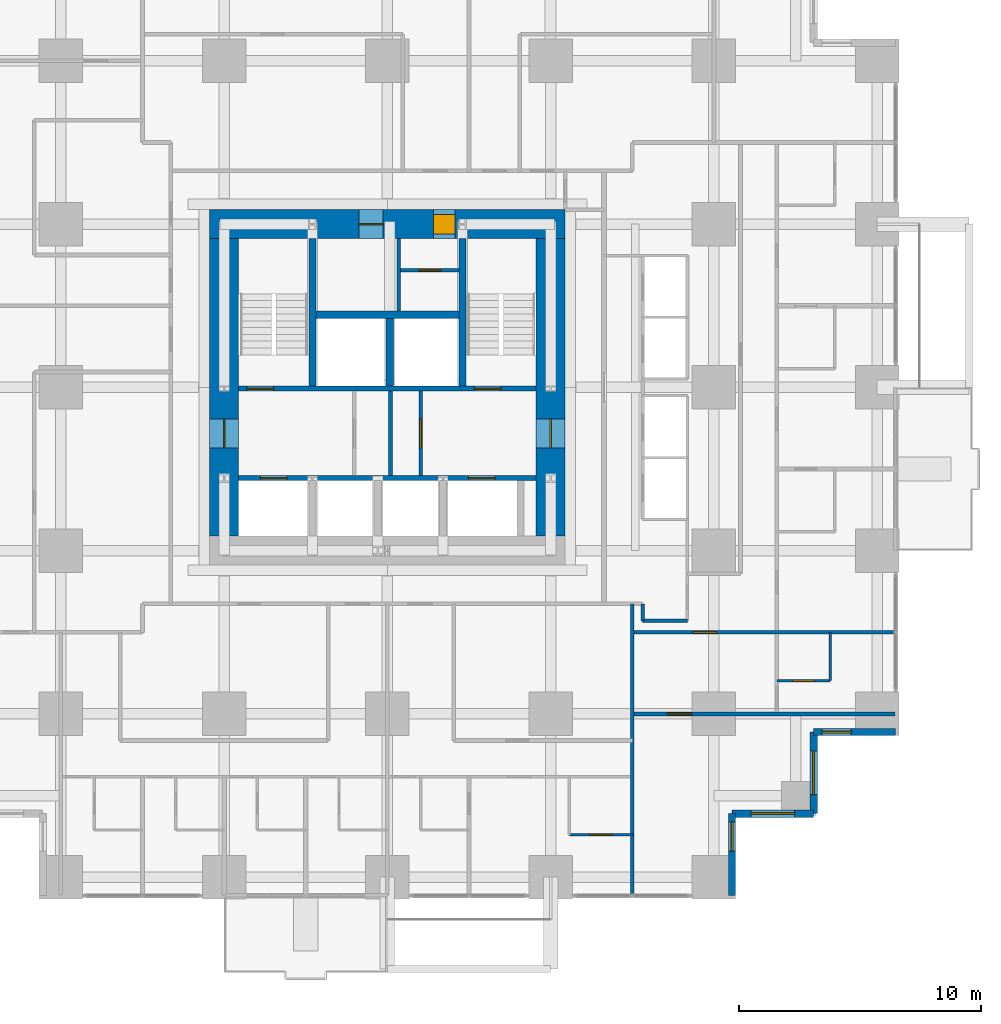
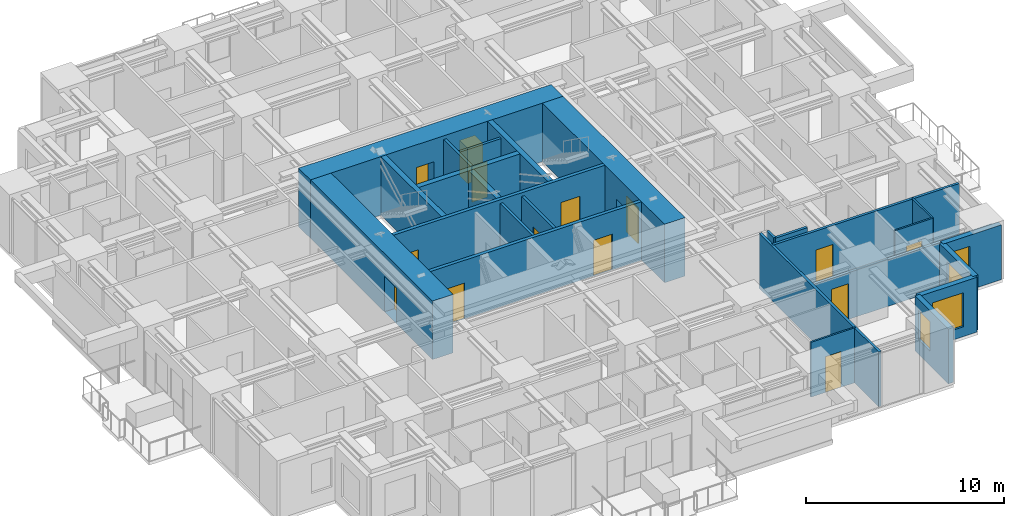
# One storey, part 10 of 14: 25 walls, 14 doors, 4 windows, 18 openings.
"""IFC4 building model written with IfcOpenShell, lengths in metres."""

from ifc_helpers import new_model, si_unit, direction, frame, frame_2d, origin, place, context, subcontext, project, spatial, rectangle, extrude, material, layer, layer_set, type_object, element, fill, save


model = new_model("IFC4")

# Units and contexts
model_context = context("Model", 3, precision=1e-05, world=origin(), true_north=direction((0.0, 1.0)))
body_context = subcontext(model_context, "Body", "Model", "MODEL_VIEW")
ifc_project = project(units=[si_unit("LENGTHUNIT", "METRE"), si_unit("AREAUNIT", "SQUARE_METRE"), si_unit("VOLUMEUNIT", "CUBIC_METRE"), si_unit("PLANEANGLEUNIT", "RADIAN"), si_unit("MASSUNIT", "GRAM", prefix="KILO")], contexts=[model_context])

# Site, building, storey
site_placement = place(None, origin())
site = spatial("IfcSite", under=ifc_project, at=site_placement, CompositionType="ELEMENT")
building_placement = place(site_placement, origin())
building = spatial("IfcBuilding", under=site, at=building_placement, Name="Nyansa Garden Tower", CompositionType="ELEMENT")
storey_placement = place(building_placement, frame((0.0, 0.0, 68.39990234375)))
storey = spatial("IfcBuildingStorey", under=building, at=storey_placement, Name="L18", CompositionType="ELEMENT", Elevation=68.39990234375)

# Wall, openings, doors
ifc_material_1 = material(Name="Concrete C70/85", Category="concrete")
ifc_layer_1 = layer(ifc_material_1, 0.199951171875)
ifc_layer_set_1 = layer_set([ifc_layer_1], Name="Core inner wall CI200")
wall_type_1 = type_object("IfcWallType", Name="Core inner wall CI200", PredefinedType="SHEAR", material=ifc_layer_set_1)
wall_1_placement = place(storey_placement, frame((14.10009765625, 16.5, 0.0), z_axis=(0.0, 0.0, 1.0), x_axis=(1.0, 0.0, 0.0)))
wall_1 = element("IfcWall", 1, at=wall_1_placement, inside=storey, type_object=wall_type_1, Name="Core inner wall L18", PredefinedType="SHEAR", context=body_context, shape_type="SweptSolid", body=[
    extrude(rectangle(XDim=12.2998046875, YDim=0.199951171875, at=frame_2d((6.14990234375, 0.0))), origin(), (0.0, 0.0, 1.0), 3.60009765625),
])
opening_1_placement = place(wall_1_placement, frame((0.89990234375, 0.0, 0.0)))
opening_1 = element("IfcOpeningElement", 2, at=opening_1_placement, cuts=wall_1, Name="Opening LD-F", PredefinedType="OPENING", context=body_context, shape_type="SweptSolid", body=[
    extrude(rectangle(XDim=1.10009765625, YDim=2.199951171875, at=frame_2d((0.550048828125, 1.10009765625))), frame((0.0, 0.10986328125, 0.0), z_axis=(0.0, -1.0, 0.0), x_axis=(1.0, 0.0, 0.0)), (0.0, 0.0, 1.0), 0.219970703125),
])
opening_2_placement = place(wall_1_placement, frame((9.5, 0.0, 0.0)))
opening_2 = element("IfcOpeningElement", 3, at=opening_2_placement, cuts=wall_1, Name="Opening LD-F", PredefinedType="OPENING", context=body_context, shape_type="SweptSolid", body=[
    extrude(rectangle(XDim=1.10009765625, YDim=2.199951171875, at=frame_2d((0.550048828125, 1.10009765625))), frame((0.0, 0.10986328125, 0.0), z_axis=(0.0, -1.0, 0.0), x_axis=(1.0, 0.0, 0.0)), (0.0, 0.0, 1.0), 0.219970703125),
])
ifc_material_2 = material(Name="Stainless steel centre-opening landing door of the firefighting lift, EN 81-72, E 120", Category="steel")
door_type_1 = type_object("IfcDoorType", Name="Lift landing door LD-F 1100x2200", OperationType="DOUBLE_DOOR_SLIDING", PredefinedType="DOOR", material=ifc_material_2)
door_1_placement = place(opening_1_placement, origin())
door_1 = element("IfcDoor", 4, at=door_1_placement, inside=storey, type_object=door_type_1, Name="Landing door FF1", OperationType="DOUBLE_DOOR_SLIDING", OverallHeight=2.199951171875, OverallWidth=1.10009765625, PredefinedType="DOOR", context=body_context, shape_type="SweptSolid", body=[
    extrude(rectangle(XDim=1.10009765625, YDim=2.199951171875, at=frame_2d((0.550048828125, 1.10009765625))), frame((0.0, 0.02490234375, 0.0), z_axis=(0.0, -1.0, 0.0), x_axis=(1.0, 0.0, 0.0)), (0.0, 0.0, 1.0), 0.050048828125),
])
fill(opening_1, door_1)
door_2_placement = place(opening_2_placement, origin())
door_2 = element("IfcDoor", 5, at=door_2_placement, inside=storey, type_object=door_type_1, Name="Landing door FF2", OperationType="DOUBLE_DOOR_SLIDING", OverallHeight=2.199951171875, OverallWidth=1.10009765625, PredefinedType="DOOR", context=body_context, shape_type="SweptSolid", body=[
    extrude(rectangle(XDim=1.10009765625, YDim=2.199951171875, at=frame_2d((0.550048828125, 1.10009765625))), frame((0.0, 0.02490234375, 0.0), z_axis=(0.0, -1.0, 0.0), x_axis=(1.0, 0.0, 0.0)), (0.0, 0.0, 1.0), 0.050048828125),
])
fill(opening_2, door_2)

wall_2_placement = place(storey_placement, frame((14.10009765625, 20.199951171875, 0.0), z_axis=(0.0, 0.0, 1.0), x_axis=(1.0, 0.0, 0.0)))
wall_2 = element("IfcWall", 6, at=wall_2_placement, inside=storey, type_object=wall_type_1, Name="Core inner wall L18", PredefinedType="SHEAR", context=body_context, shape_type="SweptSolid", body=[
    extrude(rectangle(XDim=12.2998046875, YDim=0.199951171875, at=frame_2d((6.14990234375, 0.0))), origin(), (0.0, 0.0, 1.0), 3.60009765625),
])
opening_3_placement = place(wall_2_placement, frame((0.35009765625, 0.0, 0.0)))
opening_3 = element("IfcOpeningElement", 7, at=opening_3_placement, cuts=wall_2, Name="Opening D05", PredefinedType="OPENING", context=body_context, shape_type="SweptSolid", body=[
    extrude(rectangle(XDim=1.10009765625, YDim=2.199951171875, at=frame_2d((0.550048828125, 1.10009765625))), frame((0.0, 0.10986328125, 0.0), z_axis=(0.0, -1.0, 0.0), x_axis=(1.0, 0.0, 0.0)), (0.0, 0.0, 1.0), 0.219970703125),
])
opening_4_placement = place(wall_2_placement, frame((9.75, 0.0, 0.0)))
opening_4 = element("IfcOpeningElement", 8, at=opening_4_placement, cuts=wall_2, Name="Opening D05", PredefinedType="OPENING", context=body_context, shape_type="SweptSolid", body=[
    extrude(rectangle(XDim=1.10009765625, YDim=2.199951171875, at=frame_2d((0.550048828125, 1.10009765625))), frame((0.0, 0.10986328125, 0.0), z_axis=(0.0, -1.0, 0.0), x_axis=(1.0, 0.0, 0.0)), (0.0, 0.0, 1.0), 0.219970703125),
])
ifc_material_3 = material(Name="Steel door, 120 minute fire resisting", Category="steel")
door_type_2 = type_object("IfcDoorType", Name="Stair door D05 1100x2200", OperationType="SINGLE_SWING_LEFT", PredefinedType="DOOR", material=ifc_material_3)
door_3_placement = place(opening_3_placement, origin())
door_3 = element("IfcDoor", 9, at=door_3_placement, inside=storey, type_object=door_type_2, Name="Stair S1 door", OperationType="SINGLE_SWING_LEFT", OverallHeight=2.199951171875, OverallWidth=1.10009765625, PredefinedType="DOOR", context=body_context, shape_type="SweptSolid", body=[
    extrude(rectangle(XDim=1.10009765625, YDim=2.199951171875, at=frame_2d((0.550048828125, 1.10009765625))), frame((0.0, 0.02490234375, 0.0), z_axis=(0.0, -1.0, 0.0), x_axis=(1.0, 0.0, 0.0)), (0.0, 0.0, 1.0), 0.050048828125),
])
fill(opening_3, door_3)
door_4_placement = place(opening_4_placement, origin())
door_4 = element("IfcDoor", 10, at=door_4_placement, inside=storey, type_object=door_type_2, Name="Stair S2 door", OperationType="SINGLE_SWING_LEFT", OverallHeight=2.199951171875, OverallWidth=1.10009765625, PredefinedType="DOOR", context=body_context, shape_type="SweptSolid", body=[
    extrude(rectangle(XDim=1.10009765625, YDim=2.199951171875, at=frame_2d((0.550048828125, 1.10009765625))), frame((0.0, 0.02490234375, 0.0), z_axis=(0.0, -1.0, 0.0), x_axis=(1.0, 0.0, 0.0)), (0.0, 0.0, 1.0), 0.050048828125),
])
fill(opening_4, door_4)

# Walls
ifc_material_4 = material(Name="Concrete C70/85", Category="concrete")
ifc_layer_2 = layer(ifc_material_4, 0.300048828125)
ifc_layer_set_2 = layer_set([ifc_layer_2], Name="Core inner wall CI300")
wall_type_2 = type_object("IfcWallType", Name="Core inner wall CI300", PredefinedType="SHEAR", material=ifc_layer_set_2)
for number, where, z_axis, x_axis, name in (
    (11, (17.14990234375, 20.300048828125, 0.0), (0.0, 0.0, 1.0), (0.0, 1.0, 0.0), "Core inner wall L18"),
    (12, (23.35009765625, 20.300048828125, 0.0), (0.0, 0.0, 1.0), (0.0, 1.0, 0.0), "Core inner wall L18"),
):
    element("IfcWall", number, at=place(storey_placement, frame(where, z_axis=z_axis, x_axis=x_axis)), inside=storey, type_object=wall_type_2, Name=name, PredefinedType="SHEAR", context=body_context, shape_type="SweptSolid", body=[
        extrude(rectangle(XDim=6.099853515625, YDim=0.300048828125, at=frame_2d((3.0498046875, 0.0))), origin(), (0.0, 0.0, 1.0), 3.60009765625),
    ])
wall_3_placement = place(storey_placement, frame((20.35009765625, 20.300048828125, 0.0), z_axis=(0.0, 0.0, 1.0), x_axis=(0.0, 1.0, 0.0)))
element("IfcWall", 13, at=wall_3_placement, inside=storey, type_object=wall_type_2, Name="Core inner wall L18", PredefinedType="SHEAR", context=body_context, shape_type="SweptSolid", body=[
    extrude(rectangle(XDim=2.800048828125, YDim=0.300048828125, at=frame_2d((1.39990234375, 0.0))), origin(), (0.0, 0.0, 1.0), 3.60009765625),
])
wall_4_placement = place(storey_placement, frame((17.300048828125, 23.25, 0.0), z_axis=(0.0, 0.0, 1.0), x_axis=(1.0, 0.0, 0.0)))
element("IfcWall", 14, at=wall_4_placement, inside=storey, type_object=wall_type_2, Name="Core inner wall L18", PredefinedType="SHEAR", context=body_context, shape_type="SweptSolid", body=[
    extrude(rectangle(XDim=5.89990234375, YDim=0.300048828125, at=frame_2d((2.949951171875, 0.0))), origin(), (0.0, 0.0, 1.0), 3.60009765625),
])

# Wall, opening, door
ifc_material_5 = material(Name="Concrete C80/95", Category="concrete")
ifc_layer_3 = layer(ifc_material_5, 1.199951171875)
ifc_layer_set_3 = layer_set([ifc_layer_3], Name="Core wall CW1200")
wall_type_3 = type_object("IfcWallType", Name="Core wall CW1200", PredefinedType="SHEAR", material=ifc_layer_set_3)
wall_5_placement = place(storey_placement, frame((27.0, 14.10009765625, 0.0), z_axis=(0.0, 0.0, 1.0), x_axis=(0.0, 1.0, 0.0)))
wall_5 = element("IfcWall", 15, at=wall_5_placement, inside=storey, type_object=wall_type_3, Name="Core wall E L18", PredefinedType="SHEAR", context=body_context, shape_type="SweptSolid", body=[
    extrude(rectangle(XDim=12.2998046875, YDim=1.199951171875, at=frame_2d((6.14990234375, 0.0))), origin(), (0.0, 0.0, 1.0), 3.60009765625),
])
opening_5_placement = place(wall_5_placement, frame((3.64990234375, 0.0, 0.0)))
opening_5 = element("IfcOpeningElement", 16, at=opening_5_placement, cuts=wall_5, Name="Opening D06", PredefinedType="OPENING", context=body_context, shape_type="SweptSolid", body=[
    extrude(rectangle(XDim=1.199951171875, YDim=2.199951171875, at=frame_2d((0.60009765625, 1.10009765625))), frame((0.0, 0.60986328125, 0.0), z_axis=(0.0, -1.0, 0.0), x_axis=(1.0, 0.0, 0.0)), (0.0, 0.0, 1.0), 1.219970703125),
])
ifc_material_6 = material(Name="Steel door, 120 minute fire resisting", Category="steel")
door_type_3 = type_object("IfcDoorType", Name="Lobby door D06 1200x2200", OperationType="DOUBLE_DOOR_SINGLE_SWING", PredefinedType="DOOR", material=ifc_material_6)
door_5_placement = place(opening_5_placement, origin())
door_5 = element("IfcDoor", 17, at=door_5_placement, inside=storey, type_object=door_type_3, Name="Lift lobby door east", OperationType="DOUBLE_DOOR_SINGLE_SWING", OverallHeight=2.199951171875, OverallWidth=1.199951171875, PredefinedType="DOOR", context=body_context, shape_type="SweptSolid", body=[
    extrude(rectangle(XDim=1.199951171875, YDim=2.199951171875, at=frame_2d((0.60009765625, 1.10009765625))), frame((0.0, 0.02490234375, 0.0), z_axis=(0.0, -1.0, 0.0), x_axis=(1.0, 0.0, 0.0)), (0.0, 0.0, 1.0), 0.050048828125),
])
fill(opening_5, door_5)

# Wall, openings, doors
wall_6_placement = place(storey_placement, frame((27.60009765625, 27.0, 0.0), z_axis=(0.0, 0.0, 1.0), x_axis=(-1.0, 0.0, 0.0)))
wall_6 = element("IfcWall", 18, at=wall_6_placement, inside=storey, type_object=wall_type_3, Name="Core wall N L18", PredefinedType="SHEAR", context=body_context, shape_type="SweptSolid", body=[
    extrude(rectangle(XDim=14.7001953125, YDim=1.199951171875, at=frame_2d((7.35009765625, 0.0))), origin(), (0.0, 0.0, 1.0), 3.60009765625),
])
opening_6_placement = place(wall_6_placement, frame((4.550048828125, 0.0, 0.0)))
opening_6 = element("IfcOpeningElement", 19, at=opening_6_placement, cuts=wall_6, Name="Opening D15", PredefinedType="OPENING", context=body_context, shape_type="SweptSolid", body=[
    extrude(rectangle(XDim=0.89990234375, YDim=2.199951171875, at=frame_2d((0.449951171875, 1.10009765625))), frame((0.0, 0.60986328125, 0.0), z_axis=(0.0, -1.0, 0.0), x_axis=(1.0, 0.0, 0.0)), (0.0, 0.0, 1.0), 1.219970703125),
])
opening_7_placement = place(wall_6_placement, frame((7.52490234375, 0.0, 0.0)))
opening_7 = element("IfcOpeningElement", 20, at=opening_7_placement, cuts=wall_6, Name="Opening D07", PredefinedType="OPENING", context=body_context, shape_type="SweptSolid", body=[
    extrude(rectangle(XDim=1.0, YDim=2.199951171875, at=frame_2d((0.5, 1.10009765625))), frame((0.0, 0.60986328125, 0.0), z_axis=(0.0, -1.0, 0.0), x_axis=(1.0, 0.0, 0.0)), (0.0, 0.0, 1.0), 1.219970703125),
])
ifc_material_7 = material(Name="Timber flush door, 60 minute fire resisting, self-closing", Category="wood")
door_type_4 = type_object("IfcDoorType", Name="Core room door D15 900x2200", OperationType="SINGLE_SWING_LEFT", PredefinedType="DOOR", material=ifc_material_7)
door_6_placement = place(opening_6_placement, origin())
door_6 = element("IfcDoor", 21, at=door_6_placement, inside=storey, type_object=door_type_4, Name="Core room door", OperationType="SINGLE_SWING_LEFT", OverallHeight=2.199951171875, OverallWidth=0.89990234375, PredefinedType="DOOR", context=body_context, shape_type="SweptSolid", body=[
    extrude(rectangle(XDim=0.89990234375, YDim=2.199951171875, at=frame_2d((0.449951171875, 1.10009765625))), frame((0.0, 0.39990234375, 0.0), z_axis=(0.0, -1.0, 0.0), x_axis=(1.0, 0.0, 0.0)), (0.0, 0.0, 1.0), 0.800048828125),
])
fill(opening_6, door_6)
ifc_material_8 = material(Name="Steel door, 120 minute fire resisting", Category="steel")
door_type_5 = type_object("IfcDoorType", Name="Riser door D07 1000x2200", OperationType="SINGLE_SWING_LEFT", PredefinedType="DOOR", material=ifc_material_8)
door_7_placement = place(opening_7_placement, origin())
door_7 = element("IfcDoor", 22, at=door_7_placement, inside=storey, type_object=door_type_5, Name="Riser and refuse room door", OperationType="SINGLE_SWING_LEFT", OverallHeight=2.199951171875, OverallWidth=1.0, PredefinedType="DOOR", context=body_context, shape_type="SweptSolid", body=[
    extrude(rectangle(XDim=1.0, YDim=2.199951171875, at=frame_2d((0.5, 1.10009765625))), frame((0.0, 0.02490234375, 0.0), z_axis=(0.0, -1.0, 0.0), x_axis=(1.0, 0.0, 0.0)), (0.0, 0.0, 1.0), 0.050048828125),
])
fill(opening_7, door_7)

# Wall, opening, door
wall_7_placement = place(storey_placement, frame((13.5, 26.39990234375, 0.0), z_axis=(0.0, 0.0, 1.0), x_axis=(0.0, -1.0, 0.0)))
wall_7 = element("IfcWall", 23, at=wall_7_placement, inside=storey, type_object=wall_type_3, Name="Core wall W L18", PredefinedType="SHEAR", context=body_context, shape_type="SweptSolid", body=[
    extrude(rectangle(XDim=12.2998046875, YDim=1.199951171875, at=frame_2d((6.14990234375, 0.0))), origin(), (0.0, 0.0, 1.0), 3.60009765625),
])
opening_8_placement = place(wall_7_placement, frame((7.449951171875, 0.0, 0.0)))
opening_8 = element("IfcOpeningElement", 24, at=opening_8_placement, cuts=wall_7, Name="Opening D06", PredefinedType="OPENING", context=body_context, shape_type="SweptSolid", body=[
    extrude(rectangle(XDim=1.199951171875, YDim=2.199951171875, at=frame_2d((0.60009765625, 1.10009765625))), frame((0.0, 0.60986328125, 0.0), z_axis=(0.0, -1.0, 0.0), x_axis=(1.0, 0.0, 0.0)), (0.0, 0.0, 1.0), 1.219970703125),
])
door_8_placement = place(opening_8_placement, origin())
door_8 = element("IfcDoor", 25, at=door_8_placement, inside=storey, type_object=door_type_3, Name="Lift lobby door west", OperationType="DOUBLE_DOOR_SINGLE_SWING", OverallHeight=2.199951171875, OverallWidth=1.199951171875, PredefinedType="DOOR", context=body_context, shape_type="SweptSolid", body=[
    extrude(rectangle(XDim=1.199951171875, YDim=2.199951171875, at=frame_2d((0.60009765625, 1.10009765625))), frame((0.0, 0.02490234375, 0.0), z_axis=(0.0, -1.0, 0.0), x_axis=(1.0, 0.0, 0.0)), (0.0, 0.0, 1.0), 0.050048828125),
])
fill(opening_8, door_8)

ifc_material_9 = material(Name="Blockwork, plastered both sides", Category="masonry")
ifc_layer_4 = layer(ifc_material_9, 0.14990234375)
ifc_layer_set_4 = layer_set([ifc_layer_4], Name="Partition PW150")
wall_type_4 = type_object("IfcWallType", Name="Partition PW150", PredefinedType="PARTITIONING", material=ifc_layer_set_4)
wall_8_placement = place(storey_placement, frame((21.625, 16.60009765625, 0.0), z_axis=(0.0, 0.0, 1.0), x_axis=(0.0, 1.0, 0.0)))
wall_8 = element("IfcWall", 26, at=wall_8_placement, inside=storey, type_object=wall_type_4, Name="Partition", PredefinedType="PARTITIONING", context=body_context, shape_type="SweptSolid", body=[
    extrude(rectangle(XDim=3.5, YDim=0.14990234375, at=frame_2d((1.75, 0.0))), origin(), (0.0, 0.0, 1.0), 3.375),
])
opening_9_placement = place(wall_8_placement, frame((1.14990234375, 0.0, 0.0)))
opening_9 = element("IfcOpeningElement", 27, at=opening_9_placement, cuts=wall_8, Name="Opening D06", PredefinedType="OPENING", context=body_context, shape_type="SweptSolid", body=[
    extrude(rectangle(XDim=1.199951171875, YDim=2.199951171875, at=frame_2d((0.60009765625, 1.10009765625))), frame((0.0, 0.0849609375, 0.0), z_axis=(0.0, -1.0, 0.0), x_axis=(1.0, 0.0, 0.0)), (0.0, 0.0, 1.0), 0.169921875),
])
door_9_placement = place(opening_9_placement, origin())
door_9 = element("IfcDoor", 28, at=door_9_placement, inside=storey, type_object=door_type_3, Name="Passenger lift lobby door", OperationType="DOUBLE_DOOR_SINGLE_SWING", OverallHeight=2.199951171875, OverallWidth=1.199951171875, PredefinedType="DOOR", context=body_context, shape_type="SweptSolid", body=[
    extrude(rectangle(XDim=1.199951171875, YDim=2.199951171875, at=frame_2d((0.60009765625, 1.10009765625))), frame((0.0, 0.02490234375, 0.0), z_axis=(0.0, -1.0, 0.0), x_axis=(1.0, 0.0, 0.0)), (0.0, 0.0, 1.0), 0.050048828125),
])
fill(opening_9, door_9)

# Walls
wall_9_placement = place(storey_placement, frame((20.3798828125, 16.60009765625, 0.0), z_axis=(0.0, 0.0, 1.0), x_axis=(0.0, 1.0, 0.0)))
element("IfcWall", 29, at=wall_9_placement, inside=storey, type_object=wall_type_4, Name="Partition", PredefinedType="PARTITIONING", context=body_context, shape_type="SweptSolid", body=[
    extrude(rectangle(XDim=3.5, YDim=0.14990234375, at=frame_2d((1.75, 0.0))), origin(), (0.0, 0.0, 1.0), 3.375),
])
wall_10_placement = place(storey_placement, frame((20.72509765625, 23.39990234375, 0.0), z_axis=(0.0, 0.0, 1.0), x_axis=(0.0, 1.0, 0.0)))
element("IfcWall", 30, at=wall_10_placement, inside=storey, type_object=wall_type_4, Name="Partition", PredefinedType="PARTITIONING", context=body_context, shape_type="SweptSolid", body=[
    extrude(rectangle(XDim=3.0, YDim=0.14990234375, at=frame_2d((1.5, 0.0))), origin(), (0.0, 0.0, 1.0), 3.375),
])

# Wall, opening, door
wall_11_placement = place(storey_placement, frame((20.800048828125, 25.10009765625, 0.0), z_axis=(0.0, 0.0, 1.0), x_axis=(1.0, 0.0, 0.0)))
wall_11 = element("IfcWall", 31, at=wall_11_placement, inside=storey, type_object=wall_type_4, Name="Partition", PredefinedType="PARTITIONING", context=body_context, shape_type="SweptSolid", body=[
    extrude(rectangle(XDim=2.39990234375, YDim=0.14990234375, at=frame_2d((1.199951171875, 0.0))), origin(), (0.0, 0.0, 1.0), 3.375),
])
opening_10_placement = place(wall_11_placement, frame((0.75, 0.0, 0.0)))
opening_10 = element("IfcOpeningElement", 32, at=opening_10_placement, cuts=wall_11, Name="Opening D02", PredefinedType="OPENING", context=body_context, shape_type="SweptSolid", body=[
    extrude(rectangle(XDim=0.89990234375, YDim=2.199951171875, at=frame_2d((0.449951171875, 1.10009765625))), frame((0.0, 0.0849609375, 0.0), z_axis=(0.0, -1.0, 0.0), x_axis=(1.0, 0.0, 0.0)), (0.0, 0.0, 1.0), 0.169921875),
])
ifc_material_10 = material(Name="Timber flush door", Category="wood")
door_type_6 = type_object("IfcDoorType", Name="En-suite door D02 900x2200", OperationType="SINGLE_SWING_RIGHT", PredefinedType="DOOR", material=ifc_material_10)
door_10_placement = place(opening_10_placement, origin())
door_10 = element("IfcDoor", 33, at=door_10_placement, inside=storey, type_object=door_type_6, Name="Staff WC door", OperationType="SINGLE_SWING_RIGHT", OverallHeight=2.199951171875, OverallWidth=0.89990234375, PredefinedType="DOOR", context=body_context, shape_type="SweptSolid", body=[
    extrude(rectangle(XDim=0.89990234375, YDim=2.199951171875, at=frame_2d((0.449951171875, 1.10009765625))), frame((0.0, 0.02490234375, 0.0), z_axis=(0.0, -1.0, 0.0), x_axis=(1.0, 0.0, 0.0)), (0.0, 0.0, 1.0), 0.050048828125),
])
fill(opening_10, door_10)

# Wall
wall_12_placement = place(storey_placement, frame((30.375, -0.73388671875, 0.0), z_axis=(0.0, 0.0, 1.0), x_axis=(0.0, 1.0, 0.0)))
element("IfcWall", 34, at=wall_12_placement, inside=storey, type_object=wall_type_4, Name="Partition", PredefinedType="PARTITIONING", context=body_context, shape_type="SweptSolid", body=[
    extrude(rectangle(XDim=12.033935546875, YDim=0.14990234375, at=frame_2d((6.01708984375, 0.0))), origin(), (0.0, 0.0, 1.0), 3.375),
])

# Wall, opening, door
wall_13_placement = place(storey_placement, frame((30.375, 6.75, 0.0), z_axis=(0.0, 0.0, 1.0), x_axis=(1.0, 0.0, 0.0)))
wall_13 = element("IfcWall", 35, at=wall_13_placement, inside=storey, type_object=wall_type_4, Name="Partition", PredefinedType="PARTITIONING", context=body_context, shape_type="SweptSolid", body=[
    extrude(rectangle(XDim=10.85888671875, YDim=0.14990234375, at=frame_2d((5.429443359375, 0.0))), origin(), (0.0, 0.0, 1.0), 2.877197265625),
])
opening_11_placement = place(wall_13_placement, frame((1.449951171875, 0.0, 0.0)))
opening_11 = element("IfcOpeningElement", 36, at=opening_11_placement, cuts=wall_13, Name="Opening D03", PredefinedType="OPENING", context=body_context, shape_type="SweptSolid", body=[
    extrude(rectangle(XDim=1.0, YDim=2.199951171875, at=frame_2d((0.5, 1.10009765625))), frame((0.0, 0.0849609375, 0.0), z_axis=(0.0, -1.0, 0.0), x_axis=(1.0, 0.0, 0.0)), (0.0, 0.0, 1.0), 0.169921875),
])
ifc_material_11 = material(Name="Timber flush door, 60 minute fire resisting", Category="wood")
door_type_7 = type_object("IfcDoorType", Name="Cluster entrance door D03 1000x2200", OperationType="SINGLE_SWING_LEFT", PredefinedType="DOOR", material=ifc_material_11)
door_11_placement = place(opening_11_placement, origin())
door_11 = element("IfcDoor", 37, at=door_11_placement, inside=storey, type_object=door_type_7, Name="Door L18-036", OperationType="SINGLE_SWING_LEFT", OverallHeight=2.199951171875, OverallWidth=1.0, PredefinedType="DOOR", context=body_context, shape_type="SweptSolid", body=[
    extrude(rectangle(XDim=1.0, YDim=2.199951171875, at=frame_2d((0.5, 1.10009765625))), frame((0.0, 0.02490234375, 0.0), z_axis=(0.0, -1.0, 0.0), x_axis=(1.0, 0.0, 0.0)), (0.0, 0.0, 1.0), 0.050048828125),
])
fill(opening_11, door_11)

wall_14_placement = place(storey_placement, frame((30.375, 10.125, 0.0), z_axis=(0.0, 0.0, 1.0), x_axis=(1.0, 0.0, 0.0)))
wall_14 = element("IfcWall", 38, at=wall_14_placement, inside=storey, type_object=wall_type_4, Name="Partition", PredefinedType="PARTITIONING", context=body_context, shape_type="SweptSolid", body=[
    extrude(rectangle(XDim=10.85888671875, YDim=0.14990234375, at=frame_2d((5.429443359375, 0.0))), origin(), (0.0, 0.0, 1.0), 3.375),
])
opening_12_placement = place(wall_14_placement, frame((2.5, 0.0, 0.0)))
opening_12 = element("IfcOpeningElement", 39, at=opening_12_placement, cuts=wall_14, Name="Opening D03", PredefinedType="OPENING", context=body_context, shape_type="SweptSolid", body=[
    extrude(rectangle(XDim=1.0, YDim=2.199951171875, at=frame_2d((0.5, 1.10009765625))), frame((0.0, 0.0849609375, 0.0), z_axis=(0.0, -1.0, 0.0), x_axis=(1.0, 0.0, 0.0)), (0.0, 0.0, 1.0), 0.169921875),
])
door_12_placement = place(opening_12_placement, origin())
door_12 = element("IfcDoor", 40, at=door_12_placement, inside=storey, type_object=door_type_7, Name="Door L18-039", OperationType="SINGLE_SWING_LEFT", OverallHeight=2.199951171875, OverallWidth=1.0, PredefinedType="DOOR", context=body_context, shape_type="SweptSolid", body=[
    extrude(rectangle(XDim=1.0, YDim=2.199951171875, at=frame_2d((0.5, 1.10009765625))), frame((0.0, 0.02490234375, 0.0), z_axis=(0.0, -1.0, 0.0), x_axis=(1.0, 0.0, 0.0)), (0.0, 0.0, 1.0), 0.050048828125),
])
fill(opening_12, door_12)

# Walls
wall_15_placement = place(storey_placement, frame((30.800048828125, 10.60009765625, 0.0), z_axis=(0.0, 0.0, 1.0), x_axis=(0.0, 1.0, 0.0)))
element("IfcWall", 41, at=wall_15_placement, inside=storey, type_object=wall_type_4, Name="Partition", PredefinedType="PARTITIONING", context=body_context, shape_type="SweptSolid", body=[
    extrude(rectangle(XDim=0.699951171875, YDim=0.14990234375, at=frame_2d((0.35009765625, 0.0))), origin(), (0.0, 0.0, 1.0), 3.375),
])
wall_16_placement = place(storey_placement, frame((30.800048828125, 10.60009765625, 0.0), z_axis=(0.0, 0.0, 1.0), x_axis=(1.0, 0.0, 0.0)))
element("IfcWall", 42, at=wall_16_placement, inside=storey, type_object=wall_type_4, Name="Partition", PredefinedType="PARTITIONING", context=body_context, shape_type="SweptSolid", body=[
    extrude(rectangle(XDim=1.849853515625, YDim=0.14990234375, at=frame_2d((0.9248046875, 0.0))), origin(), (0.0, 0.0, 1.0), 3.375),
])

# Wall, opening, window
ifc_material_12 = material(Name="Turquoise glazed tile on concrete blockwork", Category="masonry")
ifc_layer_5 = layer(ifc_material_12, 0.300048828125)
ifc_layer_set_5 = layer_set([ifc_layer_5], Name="Tiled corner wall TW300")
wall_type_5 = type_object("IfcWallType", Name="Tiled corner wall TW300", PredefinedType="SOLIDWALL", material=ifc_layer_set_5)
wall_17_placement = place(storey_placement, frame((34.5, -0.75, 0.0), z_axis=(0.0, 0.0, 1.0), x_axis=(0.0, 1.0, 0.0)))
wall_17 = element("IfcWall", 43, at=wall_17_placement, inside=storey, type_object=wall_type_5, Name="Tiled corner wall L18", PredefinedType="SOLIDWALL", context=body_context, shape_type="SweptSolid", body=[
    extrude(rectangle(XDim=3.375, YDim=0.300048828125, at=frame_2d((1.6875, 0.0))), origin(), (0.0, 0.0, 1.0), 3.375),
])
opening_13_placement = place(wall_17_placement, frame((1.83251953125, 0.0, 0.89990234375)))
opening_13 = element("IfcOpeningElement", 44, at=opening_13_placement, cuts=wall_17, Name="Opening W4", PredefinedType="OPENING", context=body_context, shape_type="SweptSolid", body=[
    extrude(rectangle(XDim=1.199951171875, YDim=1.800048828125, at=frame_2d((0.60009765625, 0.89990234375))), frame((0.0, 0.159912109375, 0.0), z_axis=(0.0, -1.0, 0.0), x_axis=(1.0, 0.0, 0.0)), (0.0, 0.0, 1.0), 0.320068359375),
])
ifc_material_13 = material(Name="Black aluminium frame, dark tinted double glazing", Category="aluminium")
window_type_1 = type_object("IfcWindowType", Name="Window W4 1200x1800", PartitioningType="SINGLE_PANEL", PredefinedType="WINDOW", material=ifc_material_13)
window_1_placement = place(opening_13_placement, origin())
window_1 = element("IfcWindow", 45, at=window_1_placement, inside=storey, type_object=window_type_1, Name="Corner window L18", OverallHeight=1.800048828125, OverallWidth=1.199951171875, PartitioningType="SINGLE_PANEL", PredefinedType="WINDOW", context=body_context, shape_type="SweptSolid", body=[
    extrude(rectangle(XDim=1.199951171875, YDim=1.800048828125, at=frame_2d((0.60009765625, 0.89990234375))), frame((0.0, 0.030029296875, 0.0), z_axis=(0.0, -1.0, 0.0), x_axis=(1.0, 0.0, 0.0)), (0.0, 0.0, 1.0), 0.06005859375),
])
fill(opening_13, window_1)

wall_18_placement = place(storey_placement, frame((34.5, 2.625, 0.0), z_axis=(0.0, 0.0, 1.0), x_axis=(1.0, 0.0, 0.0)))
wall_18 = element("IfcWall", 46, at=wall_18_placement, inside=storey, type_object=wall_type_5, Name="Tiled corner wall L18", PredefinedType="SOLIDWALL", context=body_context, shape_type="SweptSolid", body=[
    extrude(rectangle(XDim=3.375, YDim=0.300048828125, at=frame_2d((1.6875, 0.0))), origin(), (0.0, 0.0, 1.0), 3.375),
])
opening_14_placement = place(wall_18_placement, frame((0.78759765625, 0.0, 0.60009765625)))
opening_14 = element("IfcOpeningElement", 47, at=opening_14_placement, cuts=wall_18, Name="Opening W2", PredefinedType="OPENING", context=body_context, shape_type="SweptSolid", body=[
    extrude(rectangle(XDim=1.800048828125, YDim=2.10009765625, at=frame_2d((0.89990234375, 1.050048828125))), frame((0.0, 0.159912109375, 0.0), z_axis=(0.0, -1.0, 0.0), x_axis=(1.0, 0.0, 0.0)), (0.0, 0.0, 1.0), 0.320068359375),
])
ifc_material_14 = material(Name="Black aluminium frame, dark tinted double glazing", Category="aluminium")
window_type_2 = type_object("IfcWindowType", Name="Window W2 1800x2100", PartitioningType="SINGLE_PANEL", PredefinedType="WINDOW", material=ifc_material_14)
window_2_placement = place(opening_14_placement, origin())
window_2 = element("IfcWindow", 48, at=window_2_placement, inside=storey, type_object=window_type_2, Name="Corner window L18", OverallHeight=2.10009765625, OverallWidth=1.800048828125, PartitioningType="SINGLE_PANEL", PredefinedType="WINDOW", context=body_context, shape_type="SweptSolid", body=[
    extrude(rectangle(XDim=1.800048828125, YDim=2.10009765625, at=frame_2d((0.89990234375, 1.050048828125))), frame((0.0, 0.030029296875, 0.0), z_axis=(0.0, -1.0, 0.0), x_axis=(1.0, 0.0, 0.0)), (0.0, 0.0, 1.0), 0.06005859375),
])
fill(opening_14, window_2)

wall_19_placement = place(storey_placement, frame((37.875, 2.625, 0.0), z_axis=(0.0, 0.0, 1.0), x_axis=(0.0, 1.0, 0.0)))
wall_19 = element("IfcWall", 49, at=wall_19_placement, inside=storey, type_object=wall_type_5, Name="Tiled corner wall L18", PredefinedType="SOLIDWALL", context=body_context, shape_type="SweptSolid", body=[
    extrude(rectangle(XDim=3.375, YDim=0.300048828125, at=frame_2d((1.6875, 0.0))), origin(), (0.0, 0.0, 1.0), 3.375),
])
opening_15_placement = place(wall_19_placement, frame((0.78759765625, 0.0, 0.60009765625)))
opening_15 = element("IfcOpeningElement", 50, at=opening_15_placement, cuts=wall_19, Name="Opening W2", PredefinedType="OPENING", context=body_context, shape_type="SweptSolid", body=[
    extrude(rectangle(XDim=1.800048828125, YDim=2.10009765625, at=frame_2d((0.89990234375, 1.050048828125))), frame((0.0, 0.159912109375, 0.0), z_axis=(0.0, -1.0, 0.0), x_axis=(1.0, 0.0, 0.0)), (0.0, 0.0, 1.0), 0.320068359375),
])
window_3_placement = place(opening_15_placement, origin())
window_3 = element("IfcWindow", 51, at=window_3_placement, inside=storey, type_object=window_type_2, Name="Corner window L18", OverallHeight=2.10009765625, OverallWidth=1.800048828125, PartitioningType="SINGLE_PANEL", PredefinedType="WINDOW", context=body_context, shape_type="SweptSolid", body=[
    extrude(rectangle(XDim=1.800048828125, YDim=2.10009765625, at=frame_2d((0.89990234375, 1.050048828125))), frame((0.0, 0.030029296875, 0.0), z_axis=(0.0, -1.0, 0.0), x_axis=(1.0, 0.0, 0.0)), (0.0, 0.0, 1.0), 0.06005859375),
])
fill(opening_15, window_3)

wall_20_placement = place(storey_placement, frame((37.875, 6.0, 0.0), z_axis=(0.0, 0.0, 1.0), x_axis=(1.0, 0.0, 0.0)))
wall_20 = element("IfcWall", 52, at=wall_20_placement, inside=storey, type_object=wall_type_5, Name="Tiled corner wall L18", PredefinedType="SOLIDWALL", context=body_context, shape_type="SweptSolid", body=[
    extrude(rectangle(XDim=3.375, YDim=0.300048828125, at=frame_2d((1.6875, 0.0))), origin(), (0.0, 0.0, 1.0), 3.375),
])
opening_16_placement = place(wall_20_placement, frame((0.342529296875, 0.0, 0.89990234375)))
opening_16 = element("IfcOpeningElement", 53, at=opening_16_placement, cuts=wall_20, Name="Opening W4", PredefinedType="OPENING", context=body_context, shape_type="SweptSolid", body=[
    extrude(rectangle(XDim=1.199951171875, YDim=1.800048828125, at=frame_2d((0.60009765625, 0.89990234375))), frame((0.0, 0.159912109375, 0.0), z_axis=(0.0, -1.0, 0.0), x_axis=(1.0, 0.0, 0.0)), (0.0, 0.0, 1.0), 0.320068359375),
])
window_4_placement = place(opening_16_placement, origin())
window_4 = element("IfcWindow", 54, at=window_4_placement, inside=storey, type_object=window_type_1, Name="Corner window L18", OverallHeight=1.800048828125, OverallWidth=1.199951171875, PartitioningType="SINGLE_PANEL", PredefinedType="WINDOW", context=body_context, shape_type="SweptSolid", body=[
    extrude(rectangle(XDim=1.199951171875, YDim=1.800048828125, at=frame_2d((0.60009765625, 0.89990234375))), frame((0.0, 0.030029296875, 0.0), z_axis=(0.0, -1.0, 0.0), x_axis=(1.0, 0.0, 0.0)), (0.0, 0.0, 1.0), 0.06005859375),
])
fill(opening_16, window_4)

# Wall, opening, door
ifc_material_15 = material(Name="Moisture resistant board on steel studs, tiled", Category="steel")
ifc_layer_6 = layer(ifc_material_15, 0.10009765625)
ifc_layer_set_6 = layer_set([ifc_layer_6], Name="Wet wall PW100")
wall_type_6 = type_object("IfcWallType", Name="Wet wall PW100", PredefinedType="PARTITIONING", material=ifc_layer_set_6)
wall_21_placement = place(storey_placement, frame((27.77490234375, 1.75, 0.0), z_axis=(0.0, 0.0, 1.0), x_axis=(1.0, 0.0, 0.0)))
wall_21 = element("IfcWall", 55, at=wall_21_placement, inside=storey, type_object=wall_type_6, Name="Wet wall", PredefinedType="PARTITIONING", context=body_context, shape_type="SweptSolid", body=[
    extrude(rectangle(XDim=2.60009765625, YDim=0.10009765625, at=frame_2d((1.300048828125, 0.0))), origin(), (0.0, 0.0, 1.0), 3.375),
])
opening_17_placement = place(wall_21_placement, frame((0.85009765625, 0.0, 0.0)))
opening_17 = element("IfcOpeningElement", 56, at=opening_17_placement, cuts=wall_21, Name="Opening D02", PredefinedType="OPENING", context=body_context, shape_type="SweptSolid", body=[
    extrude(rectangle(XDim=0.89990234375, YDim=2.199951171875, at=frame_2d((0.449951171875, 1.10009765625))), frame((0.0, 0.06005859375, 0.0), z_axis=(0.0, -1.0, 0.0), x_axis=(1.0, 0.0, 0.0)), (0.0, 0.0, 1.0), 0.1201171875),
])
door_13_placement = place(opening_17_placement, origin())
door_13 = element("IfcDoor", 57, at=door_13_placement, inside=storey, type_object=door_type_6, Name="Door L18-030", OperationType="SINGLE_SWING_RIGHT", OverallHeight=2.199951171875, OverallWidth=0.89990234375, PredefinedType="DOOR", context=body_context, shape_type="SweptSolid", body=[
    extrude(rectangle(XDim=0.89990234375, YDim=2.199951171875, at=frame_2d((0.449951171875, 1.10009765625))), frame((0.0, 0.02490234375, 0.0), z_axis=(0.0, -1.0, 0.0), x_axis=(1.0, 0.0, 0.0)), (0.0, 0.0, 1.0), 0.050048828125),
])
fill(opening_17, door_13)

wall_22_placement = place(storey_placement, frame((36.35009765625, 8.125, 0.0), z_axis=(0.0, 0.0, 1.0), x_axis=(1.0, 0.0, 0.0)))
wall_22 = element("IfcWall", 58, at=wall_22_placement, inside=storey, type_object=wall_type_6, Name="Wet wall", PredefinedType="PARTITIONING", context=body_context, shape_type="SweptSolid", body=[
    extrude(rectangle(XDim=2.199951171875, YDim=0.10009765625, at=frame_2d((1.10009765625, 0.0))), origin(), (0.0, 0.0, 1.0), 3.375),
])
opening_18_placement = place(wall_22_placement, frame((0.64990234375, 0.0, 0.0)))
opening_18 = element("IfcOpeningElement", 59, at=opening_18_placement, cuts=wall_22, Name="Opening D02", PredefinedType="OPENING", context=body_context, shape_type="SweptSolid", body=[
    extrude(rectangle(XDim=0.89990234375, YDim=2.199951171875, at=frame_2d((0.449951171875, 1.10009765625))), frame((0.0, 0.06005859375, 0.0), z_axis=(0.0, -1.0, 0.0), x_axis=(1.0, 0.0, 0.0)), (0.0, 0.0, 1.0), 0.1201171875),
])
door_14_placement = place(opening_18_placement, origin())
door_14 = element("IfcDoor", 60, at=door_14_placement, inside=storey, type_object=door_type_6, Name="Door L18-038", OperationType="SINGLE_SWING_RIGHT", OverallHeight=2.199951171875, OverallWidth=0.89990234375, PredefinedType="DOOR", context=body_context, shape_type="SweptSolid", body=[
    extrude(rectangle(XDim=0.89990234375, YDim=2.199951171875, at=frame_2d((0.449951171875, 1.10009765625))), frame((0.0, 0.02490234375, 0.0), z_axis=(0.0, -1.0, 0.0), x_axis=(1.0, 0.0, 0.0)), (0.0, 0.0, 1.0), 0.050048828125),
])
fill(opening_18, door_14)

# Wall
wall_23_placement = place(storey_placement, frame((38.550048828125, 8.125, 0.0), z_axis=(0.0, 0.0, 1.0), x_axis=(0.0, 1.0, 0.0)))
element("IfcWall", 61, at=wall_23_placement, inside=storey, type_object=wall_type_6, Name="Wet wall", PredefinedType="PARTITIONING", context=body_context, shape_type="SweptSolid", body=[
    extrude(rectangle(XDim=2.0, YDim=0.10009765625, at=frame_2d((1.0, 0.0))), origin(), (0.0, 0.0, 1.0), 3.375),
])

save(model, "model.ifc")
